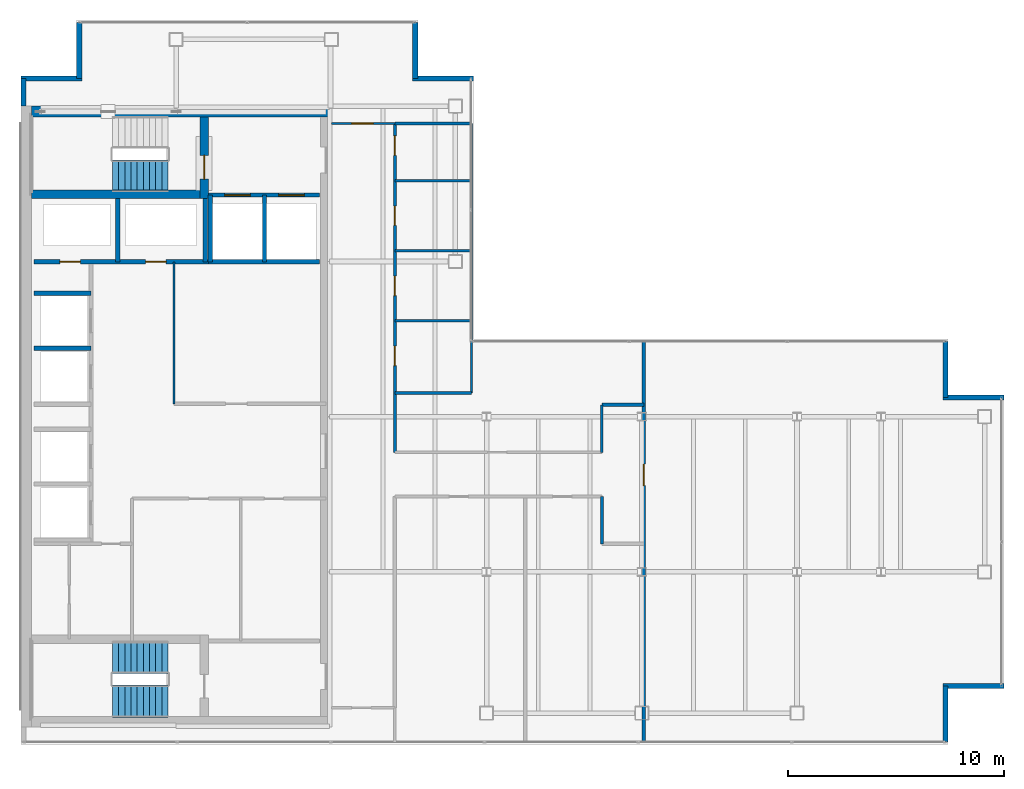
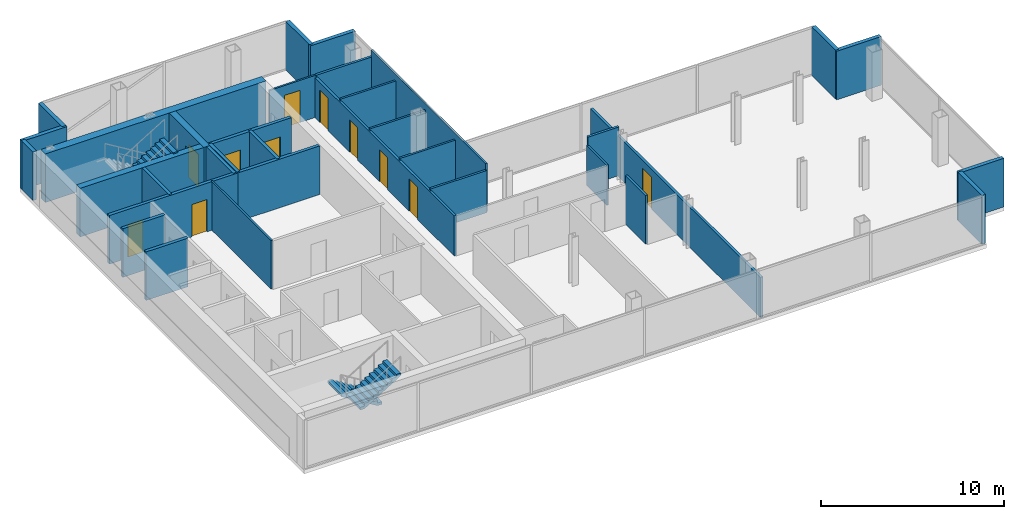
# One storey, part 21 of 23: 34 walls, 11 doors, 3 stair flights, 11 openings, 2 elements without a shape of their own.
"""IFC4 building model written with IfcOpenShell, lengths in metres."""

from ifc_helpers import new_model, si_unit, direction, frame, frame_2d, origin, place, context, subcontext, project, spatial, polyline, rectangle, outline, extrude, material, layer, layer_set, type_object, element, fill, aggregate, save


model = new_model("IFC4")

# Units and contexts
model_context = context("Model", 3, precision=1e-05, world=origin(), true_north=direction((0.0, 1.0)))
body_context = subcontext(model_context, "Body", "Model", "MODEL_VIEW")
ifc_project = project(units=[si_unit("LENGTHUNIT", "METRE"), si_unit("AREAUNIT", "SQUARE_METRE"), si_unit("VOLUMEUNIT", "CUBIC_METRE"), si_unit("PLANEANGLEUNIT", "RADIAN"), si_unit("MASSUNIT", "GRAM", prefix="KILO")], contexts=[model_context])

# Site, building, storey
site_placement = place(None, origin())
site = spatial("IfcSite", under=ifc_project, at=site_placement, CompositionType="ELEMENT")
building_placement = place(site_placement, origin())
building = spatial("IfcBuilding", under=site, at=building_placement, Name="Cobrela Telecom Tower", CompositionType="ELEMENT")
storey_placement = place(building_placement, frame((0.0, 0.0, 269.14990234375)))
storey = spatial("IfcBuildingStorey", under=building, at=storey_placement, Name="L70", CompositionType="ELEMENT", Elevation=269.14990234375)

# Walls
ifc_material_1 = material(Name="Concrete C40/50", Category="concrete")
ifc_layer_1 = layer(ifc_material_1, 0.5)
ifc_layer_set_1 = layer_set([ifc_layer_1], Name="Concrete C40/50")
wall_type_1 = type_object("IfcWallType", Name="WALL-CORE-C40-500", PredefinedType="SHEAR", material=ifc_layer_set_1)
wall_1_placement = place(storey_placement, frame((0.5, 35.75, 0.0), z_axis=(0.0, 0.0, 1.0), x_axis=(1.0, 0.0, 0.0)))
element("IfcWall", 1, at=wall_1_placement, inside=storey, type_object=wall_type_1, Name="L70 North Core Shear Wall", PredefinedType="SHEAR", context=body_context, shape_type="SweptSolid", body=[
    extrude(rectangle(XDim=13.89990234375, YDim=0.5, at=frame_2d((6.949951171875, 0.0))), origin(), (0.0, 0.0, 1.0), 3.239990234375),
])
ifc_layer_2 = layer(ifc_material_1, 0.239990234375)
ifc_layer_set_2 = layer_set([ifc_layer_2], Name="Concrete C40/50")
wall_type_2 = type_object("IfcWallType", Name="WALL-EXT-300", PredefinedType="STANDARD", material=ifc_layer_set_2)
wall_2_placement = place(storey_placement, frame((0.1201171875, 36.0, 0.0), z_axis=(0.0, 0.0, 1.0), x_axis=(0.0, 1.0, 0.0)))
element("IfcWall", 2, at=wall_2_placement, inside=storey, type_object=wall_type_2, Name="L70 Insulated Facade Wall 02", PredefinedType="STANDARD", context=body_context, shape_type="SweptSolid", body=[
    extrude(rectangle(XDim=1.2900390625, YDim=0.239990234375, at=frame_2d((0.64501953125, 0.0))), origin(), (0.0, 0.0, 1.0), 3.239990234375),
])
wall_3_placement = place(storey_placement, frame((0.0, 37.2900390625, 0.0), z_axis=(0.0, 0.0, 1.0), x_axis=(1.0, 0.0, 0.0)))
element("IfcWall", 3, at=wall_3_placement, inside=storey, type_object=wall_type_2, Name="L70 Insulated Facade Wall 03", PredefinedType="STANDARD", context=body_context, shape_type="SweptSolid", body=[
    extrude(rectangle(XDim=2.830078125, YDim=0.239990234375, at=frame_2d((1.4150390625, 0.0))), origin(), (0.0, 0.0, 1.0), 3.239990234375),
])
for number, where, z_axis, x_axis, name in (
    (4, (2.7099609375, 37.2900390625, 0.0), (0.0, 0.0, 1.0), (0.0, 1.0, 0.0), "L70 Insulated Facade Wall 04"),
    (5, (18.2900390625, 39.8798828125, 0.0), (0.0, 0.0, 1.0), (0.0, -1.0, 0.0), "L70 Insulated Facade Wall 06"),
):
    element("IfcWall", number, at=place(storey_placement, frame(where, z_axis=z_axis, x_axis=x_axis)), inside=storey, type_object=wall_type_2, Name=name, PredefinedType="STANDARD", context=body_context, shape_type="SweptSolid", body=[
        extrude(rectangle(XDim=2.58984375, YDim=0.239990234375, at=frame_2d((1.294921875, 0.0))), origin(), (0.0, 0.0, 1.0), 3.239990234375),
    ])
wall_4_placement = place(storey_placement, frame((18.169921875, 37.2900390625, 0.0), z_axis=(0.0, 0.0, 1.0), x_axis=(1.0, 0.0, 0.0)))
element("IfcWall", 6, at=wall_4_placement, inside=storey, type_object=wall_type_2, Name="L70 Insulated Facade Wall 07", PredefinedType="STANDARD", context=body_context, shape_type="SweptSolid", body=[
    extrude(rectangle(XDim=2.830078125, YDim=0.239990234375, at=frame_2d((1.4150390625, 0.0))), origin(), (0.0, 0.0, 1.0), 3.239990234375),
])
wall_5_placement = place(storey_placement, frame((42.889892578125, 25.080078125, 0.0), z_axis=(0.0, 0.0, 1.0), x_axis=(0.0, -1.0, 0.0)))
element("IfcWall", 7, at=wall_5_placement, inside=storey, type_object=wall_type_2, Name="L70 Insulated Facade Wall 10", PredefinedType="STANDARD", context=body_context, shape_type="SweptSolid", body=[
    extrude(rectangle(XDim=2.590087890625, YDim=0.239990234375, at=frame_2d((1.294921875, 0.0))), origin(), (0.0, 0.0, 1.0), 3.239990234375),
])
for number, where, z_axis, x_axis, name in (
    (8, (42.77001953125, 22.489990234375, 0.0), (0.0, 0.0, 1.0), (1.0, 0.0, 0.0), "L70 Insulated Facade Wall 11"),
    (9, (45.60009765625, 9.110107421875, 0.0), (0.0, 0.0, 1.0), (-1.0, 0.0, 0.0), "L70 Insulated Facade Wall 13"),
):
    element("IfcWall", number, at=place(storey_placement, frame(where, z_axis=z_axis, x_axis=x_axis)), inside=storey, type_object=wall_type_2, Name=name, PredefinedType="STANDARD", context=body_context, shape_type="SweptSolid", body=[
        extrude(rectangle(XDim=2.830078125, YDim=0.239990234375, at=frame_2d((1.4150390625, 0.0))), origin(), (0.0, 0.0, 1.0), 3.239990234375),
    ])
wall_6_placement = place(storey_placement, frame((42.889892578125, 9.110107421875, 0.0), z_axis=(0.0, 0.0, 1.0), x_axis=(0.0, -1.0, 0.0)))
element("IfcWall", 10, at=wall_6_placement, inside=storey, type_object=wall_type_2, Name="L70 Insulated Facade Wall 14", PredefinedType="STANDARD", context=body_context, shape_type="SweptSolid", body=[
    extrude(rectangle(XDim=2.590087890625, YDim=0.239990234375, at=frame_2d((1.294921875, 0.0))), origin(), (0.0, 0.0, 1.0), 3.239990234375),
])
ifc_material_2 = material(Name="Fire-Rated Gypsum Plasterboard")
ifc_layer_3 = layer(ifc_material_2, 0.110107421875)
ifc_layer_set_3 = layer_set([ifc_layer_3], Name="Fire-Rated Gypsum Plasterboard")
wall_type_3 = type_object("IfcWallType", Name="WALL-PART-110", PredefinedType="PARTITIONING", material=ifc_layer_set_3)
wall_7_placement = place(storey_placement, frame((7.10009765625, 22.199951171875, 0.0), z_axis=(0.0, 0.0, 1.0), x_axis=(0.0, 1.0, 0.0)))
element("IfcWall", 11, at=wall_7_placement, inside=storey, type_object=wall_type_3, Name="L70 Interior Partition CW-RECL-W", PredefinedType="PARTITIONING", context=body_context, shape_type="SweptSolid", body=[
    extrude(rectangle(XDim=6.580078125, YDim=0.110107421875, at=frame_2d((3.2900390625, 0.0))), origin(), (0.0, 0.0, 1.0), 3.239990234375),
])

# Wall, opening, door
wall_8_placement = place(storey_placement, frame((14.39990234375, 35.199951171875, 0.0), z_axis=(0.0, 0.0, 1.0), x_axis=(1.0, 0.0, 0.0)))
wall_8 = element("IfcWall", 12, at=wall_8_placement, inside=storey, type_object=wall_type_3, Name="L70 Interior Partition W-C-N0", PredefinedType="PARTITIONING", context=body_context, shape_type="SweptSolid", body=[
    extrude(rectangle(XDim=2.9501953125, YDim=0.110107421875, at=frame_2d((1.47509765625, 0.0))), origin(), (0.0, 0.0, 1.0), 2.80810546875),
])
opening_1_placement = place(wall_8_placement, frame((0.949951171875, 0.0, 0.0)))
opening_1 = element("IfcOpeningElement", 13, at=opening_1_placement, cuts=wall_8, Name="Opening DR-31", PredefinedType="OPENING", context=body_context, shape_type="SweptSolid", body=[
    extrude(rectangle(XDim=1.0, YDim=2.14990234375, at=frame_2d((0.5, 1.074951171875))), frame((0.0, 0.06689453125, 0.0), z_axis=(0.0, -1.0, 0.0), x_axis=(1.0, 0.0, 0.0)), (0.0, 0.0, 1.0), 0.134033203125),
])
ifc_material_3 = material(Name="Solid Engineered Oak Timber", Category="wood")
door_type_1 = type_object("IfcDoorType", Name="DOOR-INT-1000", OperationType="SINGLE_SWING_LEFT", PredefinedType="DOOR", material=ifc_material_3)
door_1_placement = place(opening_1_placement, origin())
door_1 = element("IfcDoor", 14, at=door_1_placement, inside=storey, type_object=door_type_1, Name="L70 Door DR-31", OperationType="SINGLE_SWING_LEFT", OverallHeight=2.14990234375, OverallWidth=1.0, PredefinedType="DOOR", context=body_context, shape_type="SweptSolid", body=[
    extrude(rectangle(XDim=1.0, YDim=2.14990234375, at=frame_2d((0.5, 1.074951171875))), frame((0.0, 0.02490234375, 0.0), z_axis=(0.0, -1.0, 0.0), x_axis=(1.0, 0.0, 0.0)), (0.0, 0.0, 1.0), 0.050048828125),
])
fill(opening_1, door_1)

# Walls
wall_9_placement = place(storey_placement, frame((26.949951171875, 19.949951171875, 0.0), z_axis=(0.0, 0.0, 1.0), x_axis=(0.0, 1.0, 0.0)))
element("IfcWall", 15, at=wall_9_placement, inside=storey, type_object=wall_type_3, Name="L70 Interior Partition W-CT-JW2", PredefinedType="PARTITIONING", context=body_context, shape_type="SweptSolid", body=[
    extrude(rectangle(XDim=2.199951171875, YDim=0.110107421875, at=frame_2d((1.10009765625, 0.0))), origin(), (0.0, 0.0, 1.0), 2.676025390625),
])
wall_10_placement = place(storey_placement, frame((20.89990234375, 22.699951171875, 0.0), z_axis=(0.0, 0.0, 1.0), x_axis=(0.0, 1.0, 0.0)))
element("IfcWall", 16, at=wall_10_placement, inside=storey, type_object=wall_type_3, Name="L70 Interior Partition W-WC-E", PredefinedType="PARTITIONING", context=body_context, shape_type="SweptSolid", body=[
    extrude(rectangle(XDim=12.5, YDim=0.110107421875, at=frame_2d((6.25, 0.0))), origin(), (0.0, 0.0, 1.0), 3.239990234375),
])
ifc_layer_4 = layer(ifc_material_2, 0.125)
ifc_layer_set_4 = layer_set([ifc_layer_4], Name="Fire-Rated Gypsum Plasterboard")
wall_type_4 = type_object("IfcWallType", Name="WALL-PART-125", PredefinedType="PARTITIONING", material=ifc_layer_set_4)
for number, where, z_axis, x_axis, name in (
    (17, (17.35009765625, 26.050048828125, 0.0), (0.0, 0.0, 1.0), (1.0, 0.0, 0.0), "L70 Interior Partition W-WCD-1"),
    (18, (17.35009765625, 29.300048828125, 0.0), (0.0, 0.0, 1.0), (1.0, 0.0, 0.0), "L70 Interior Partition W-WCD-2"),
    (19, (17.35009765625, 32.550048828125, 0.0), (0.0, 0.0, 1.0), (1.0, 0.0, 0.0), "L70 Interior Partition W-WCD-3"),
):
    element("IfcWall", number, at=place(storey_placement, frame(where, z_axis=z_axis, x_axis=x_axis)), inside=storey, type_object=wall_type_4, Name=name, PredefinedType="PARTITIONING", context=body_context, shape_type="SweptSolid", body=[
        extrude(rectangle(XDim=3.5498046875, YDim=0.125, at=frame_2d((1.77490234375, 0.0))), origin(), (0.0, 0.0, 1.0), 2.80810546875),
    ])
ifc_layer_5 = layer(ifc_material_2, 0.135009765625)
ifc_layer_set_5 = layer_set([ifc_layer_5], Name="Fire-Rated Gypsum Plasterboard")
wall_type_5 = type_object("IfcWallType", Name="WALL-PART-135", PredefinedType="PARTITIONING", material=ifc_layer_set_5)
wall_11_placement = place(storey_placement, frame((26.949951171875, 15.699951171875, 0.0), z_axis=(0.0, 0.0, 1.0), x_axis=(0.0, 1.0, 0.0)))
element("IfcWall", 20, at=wall_11_placement, inside=storey, type_object=wall_type_5, Name="L70 Interior Partition W-CT-JW1", PredefinedType="PARTITIONING", context=body_context, shape_type="SweptSolid", body=[
    extrude(rectangle(XDim=2.199951171875, YDim=0.135009765625, at=frame_2d((1.10009765625, 0.0))), origin(), (0.0, 0.0, 1.0), 3.239990234375),
])
wall_12_placement = place(storey_placement, frame((17.35009765625, 22.699951171875, 0.0), z_axis=(0.0, 0.0, 1.0), x_axis=(1.0, 0.0, 0.0)))
element("IfcWall", 21, at=wall_12_placement, inside=storey, type_object=wall_type_5, Name="L70 Interior Partition W-WC-S", PredefinedType="PARTITIONING", context=body_context, shape_type="SweptSolid", body=[
    extrude(rectangle(XDim=3.5498046875, YDim=0.135009765625, at=frame_2d((1.77490234375, 0.0))), origin(), (0.0, 0.0, 1.0), 2.80810546875),
])

# Wall, openings, doors
ifc_layer_6 = layer(ifc_material_2, 0.14990234375)
ifc_layer_set_6 = layer_set([ifc_layer_6], Name="Fire-Rated Gypsum Plasterboard")
wall_type_6 = type_object("IfcWallType", Name="WALL-PART-150", PredefinedType="PARTITIONING", material=ifc_layer_set_6)
wall_13_placement = place(storey_placement, frame((17.35009765625, 19.949951171875, 0.0), z_axis=(0.0, 0.0, 1.0), x_axis=(0.0, 1.0, 0.0)))
wall_13 = element("IfcWall", 22, at=wall_13_placement, inside=storey, type_object=wall_type_6, Name="L70 Interior Partition W-C-E2", PredefinedType="PARTITIONING", context=body_context, shape_type="SweptSolid", body=[
    extrude(rectangle(XDim=15.25, YDim=0.14990234375, at=frame_2d((7.625, 0.0))), origin(), (0.0, 0.0, 1.0), 2.676025390625),
])
opening_2_placement = place(wall_13_placement, frame((4.02001953125, 0.0, 0.0)))
opening_2 = element("IfcOpeningElement", 23, at=opening_2_placement, cuts=wall_13, Name="Opening DR-41", PredefinedType="OPENING", context=body_context, shape_type="SweptSolid", body=[
    extrude(rectangle(XDim=0.89990234375, YDim=2.14990234375, at=frame_2d((0.449951171875, 1.074951171875))), frame((0.0, 0.0869140625, 0.0), z_axis=(0.0, -1.0, 0.0), x_axis=(1.0, 0.0, 0.0)), (0.0, 0.0, 1.0), 0.173828125),
])
opening_3_placement = place(wall_13_placement, frame((7.27001953125, 0.0, 0.0)))
opening_3 = element("IfcOpeningElement", 24, at=opening_3_placement, cuts=wall_13, Name="Opening DR-41", PredefinedType="OPENING", context=body_context, shape_type="SweptSolid", body=[
    extrude(rectangle(XDim=0.89990234375, YDim=2.14990234375, at=frame_2d((0.449951171875, 1.074951171875))), frame((0.0, 0.0869140625, 0.0), z_axis=(0.0, -1.0, 0.0), x_axis=(1.0, 0.0, 0.0)), (0.0, 0.0, 1.0), 0.173828125),
])
opening_4_placement = place(wall_13_placement, frame((10.52001953125, 0.0, 0.0)))
opening_4 = element("IfcOpeningElement", 25, at=opening_4_placement, cuts=wall_13, Name="Opening DR-41", PredefinedType="OPENING", context=body_context, shape_type="SweptSolid", body=[
    extrude(rectangle(XDim=0.89990234375, YDim=2.14990234375, at=frame_2d((0.449951171875, 1.074951171875))), frame((0.0, 0.0869140625, 0.0), z_axis=(0.0, -1.0, 0.0), x_axis=(1.0, 0.0, 0.0)), (0.0, 0.0, 1.0), 0.173828125),
])
opening_5_placement = place(wall_13_placement, frame((13.77001953125, 0.0, 0.0)))
opening_5 = element("IfcOpeningElement", 26, at=opening_5_placement, cuts=wall_13, Name="Opening DR-41", PredefinedType="OPENING", context=body_context, shape_type="SweptSolid", body=[
    extrude(rectangle(XDim=0.89990234375, YDim=2.14990234375, at=frame_2d((0.449951171875, 1.074951171875))), frame((0.0, 0.0869140625, 0.0), z_axis=(0.0, -1.0, 0.0), x_axis=(1.0, 0.0, 0.0)), (0.0, 0.0, 1.0), 0.173828125),
])
door_type_2 = type_object("IfcDoorType", Name="DOOR-INT-900", OperationType="SINGLE_SWING_LEFT", PredefinedType="DOOR", material=ifc_material_3)
door_2_placement = place(opening_2_placement, origin())
door_2 = element("IfcDoor", 27, at=door_2_placement, inside=storey, type_object=door_type_2, Name="L70 Door DR-41", OperationType="SINGLE_SWING_LEFT", OverallHeight=2.14990234375, OverallWidth=0.89990234375, PredefinedType="DOOR", context=body_context, shape_type="SweptSolid", body=[
    extrude(rectangle(XDim=0.89990234375, YDim=2.14990234375, at=frame_2d((0.449951171875, 1.074951171875))), frame((0.0, 0.02490234375, 0.0), z_axis=(0.0, -1.0, 0.0), x_axis=(1.0, 0.0, 0.0)), (0.0, 0.0, 1.0), 0.050048828125),
])
fill(opening_2, door_2)
door_3_placement = place(opening_3_placement, origin())
door_3 = element("IfcDoor", 28, at=door_3_placement, inside=storey, type_object=door_type_2, Name="L70 Door DR-41", OperationType="SINGLE_SWING_RIGHT", OverallHeight=2.14990234375, OverallWidth=0.89990234375, PredefinedType="DOOR", context=body_context, shape_type="SweptSolid", body=[
    extrude(rectangle(XDim=0.89990234375, YDim=2.14990234375, at=frame_2d((0.449951171875, 1.074951171875))), frame((0.0, 0.02490234375, 0.0), z_axis=(0.0, -1.0, 0.0), x_axis=(1.0, 0.0, 0.0)), (0.0, 0.0, 1.0), 0.050048828125),
])
fill(opening_3, door_3)
door_4_placement = place(opening_4_placement, origin())
door_4 = element("IfcDoor", 29, at=door_4_placement, inside=storey, type_object=door_type_2, Name="L70 Door DR-41", OperationType="SINGLE_SWING_LEFT", OverallHeight=2.14990234375, OverallWidth=0.89990234375, PredefinedType="DOOR", context=body_context, shape_type="SweptSolid", body=[
    extrude(rectangle(XDim=0.89990234375, YDim=2.14990234375, at=frame_2d((0.449951171875, 1.074951171875))), frame((0.0, 0.02490234375, 0.0), z_axis=(0.0, -1.0, 0.0), x_axis=(1.0, 0.0, 0.0)), (0.0, 0.0, 1.0), 0.050048828125),
])
fill(opening_4, door_4)
door_5_placement = place(opening_5_placement, origin())
door_5 = element("IfcDoor", 30, at=door_5_placement, inside=storey, type_object=door_type_2, Name="L70 Door DR-41", OperationType="SINGLE_SWING_RIGHT", OverallHeight=2.14990234375, OverallWidth=0.89990234375, PredefinedType="DOOR", context=body_context, shape_type="SweptSolid", body=[
    extrude(rectangle(XDim=0.89990234375, YDim=2.14990234375, at=frame_2d((0.449951171875, 1.074951171875))), frame((0.0, 0.02490234375, 0.0), z_axis=(0.0, -1.0, 0.0), x_axis=(1.0, 0.0, 0.0)), (0.0, 0.0, 1.0), 0.050048828125),
])
fill(opening_5, door_5)

# Walls
wall_14_placement = place(storey_placement, frame((26.949951171875, 22.14990234375, 0.0), z_axis=(0.0, 0.0, 1.0), x_axis=(1.0, 0.0, 0.0)))
element("IfcWall", 31, at=wall_14_placement, inside=storey, type_object=wall_type_6, Name="L70 Interior Partition W-CT-N", PredefinedType="PARTITIONING", context=body_context, shape_type="SweptSolid", body=[
    extrude(rectangle(XDim=1.949951171875, YDim=0.14990234375, at=frame_2d((0.97509765625, 0.0))), origin(), (0.0, 0.0, 1.0), 3.239990234375),
])
wall_15_placement = place(storey_placement, frame((17.35009765625, 35.199951171875, 0.0), z_axis=(0.0, 0.0, 1.0), x_axis=(1.0, 0.0, 0.0)))
element("IfcWall", 32, at=wall_15_placement, inside=storey, type_object=wall_type_6, Name="L70 Interior Partition W-NW-S", PredefinedType="PARTITIONING", context=body_context, shape_type="SweptSolid", body=[
    extrude(rectangle(XDim=3.52978515625, YDim=0.14990234375, at=frame_2d((1.764892578125, 0.0))), origin(), (0.0, 0.0, 1.0), 2.80810546875),
])

# Wall, opening, door
ifc_layer_7 = layer(ifc_material_2, 0.159912109375)
ifc_layer_set_7 = layer_set([ifc_layer_7], Name="Fire-Rated Gypsum Plasterboard")
wall_type_7 = type_object("IfcWallType", Name="WALL-PART-160", PredefinedType="PARTITIONING", material=ifc_layer_set_7)
wall_16_placement = place(storey_placement, frame((28.89990234375, 6.52001953125, 0.0), z_axis=(0.0, 0.0, 1.0), x_axis=(0.0, 1.0, 0.0)))
wall_16 = element("IfcWall", 33, at=wall_16_placement, inside=storey, type_object=wall_type_7, Name="L70 Interior Partition W-C-END", PredefinedType="PARTITIONING", context=body_context, shape_type="SweptSolid", body=[
    extrude(rectangle(XDim=18.56005859375, YDim=0.159912109375, at=frame_2d((9.280029296875, 0.0))), origin(), (0.0, 0.0, 1.0), 2.676025390625),
])
opening_6_placement = place(wall_16_placement, frame((11.8798828125, 0.0, 0.0)))
opening_6 = element("IfcOpeningElement", 34, at=opening_6_placement, cuts=wall_16, Name="Opening DR-31", PredefinedType="OPENING", context=body_context, shape_type="SweptSolid", body=[
    extrude(rectangle(XDim=1.0, YDim=2.14990234375, at=frame_2d((0.5, 1.074951171875))), frame((0.0, 0.091796875, 0.0), z_axis=(0.0, -1.0, 0.0), x_axis=(1.0, 0.0, 0.0)), (0.0, 0.0, 1.0), 0.183837890625),
])
door_6_placement = place(opening_6_placement, origin())
door_6 = element("IfcDoor", 35, at=door_6_placement, inside=storey, type_object=door_type_1, Name="L70 Door DR-31", OperationType="SINGLE_SWING_LEFT", OverallHeight=2.14990234375, OverallWidth=1.0, PredefinedType="DOOR", context=body_context, shape_type="SweptSolid", body=[
    extrude(rectangle(XDim=1.0, YDim=2.14990234375, at=frame_2d((0.5, 1.074951171875))), frame((0.0, 0.02490234375, 0.0), z_axis=(0.0, -1.0, 0.0), x_axis=(1.0, 0.0, 0.0)), (0.0, 0.0, 1.0), 0.050048828125),
])
fill(opening_6, door_6)

# Wall, openings, doors
ifc_layer_8 = layer(ifc_material_2, 0.199951171875)
ifc_layer_set_8 = layer_set([ifc_layer_8], Name="Fire-Rated Gypsum Plasterboard")
wall_type_8 = type_object("IfcWallType", Name="WALL-SHAFT-200", PredefinedType="PARTITIONING", material=ifc_layer_set_8)
wall_17_placement = place(storey_placement, frame((8.699951171875, 31.8798828125, 0.0), z_axis=(0.0, 0.0, 1.0), x_axis=(1.0, 0.0, 0.0)))
wall_17 = element("IfcWall", 36, at=wall_17_placement, inside=storey, type_object=wall_type_8, Name="L70 Shaft Enclosure CW-FFL-S", PredefinedType="PARTITIONING", context=body_context, shape_type="SweptSolid", body=[
    extrude(rectangle(XDim=5.150146484375, YDim=0.199951171875, at=frame_2d((2.5751953125, 0.0))), origin(), (0.0, 0.0, 1.0), 3.239990234375),
])
opening_7_placement = place(wall_17_placement, frame((0.75, 0.0, 0.0)))
opening_7 = element("IfcOpeningElement", 37, at=opening_7_placement, cuts=wall_17, Name="Opening LD-2", PredefinedType="OPENING", context=body_context, shape_type="SweptSolid", body=[
    extrude(rectangle(XDim=1.199951171875, YDim=2.199951171875, at=frame_2d((0.60009765625, 1.10009765625))), frame((0.0, 0.11181640625, 0.0), z_axis=(0.0, -1.0, 0.0), x_axis=(1.0, 0.0, 0.0)), (0.0, 0.0, 1.0), 0.223876953125),
])
opening_8_placement = place(wall_17_placement, frame((3.25, 0.0, 0.0)))
opening_8 = element("IfcOpeningElement", 38, at=opening_8_placement, cuts=wall_17, Name="Opening LD-2", PredefinedType="OPENING", context=body_context, shape_type="SweptSolid", body=[
    extrude(rectangle(XDim=1.199951171875, YDim=2.199951171875, at=frame_2d((0.60009765625, 1.10009765625))), frame((0.0, 0.11181640625, 0.0), z_axis=(0.0, -1.0, 0.0), x_axis=(1.0, 0.0, 0.0)), (0.0, 0.0, 1.0), 0.223876953125),
])
ifc_material_4 = material(Name="Steel ASTM A36", Category="steel")
door_type_3 = type_object("IfcDoorType", Name="DOOR-LD-FFL", OperationType="SINGLE_SWING_LEFT", PredefinedType="DOOR", material=ifc_material_4)
door_7_placement = place(opening_7_placement, origin())
door_7 = element("IfcDoor", 39, at=door_7_placement, inside=storey, type_object=door_type_3, Name="L70 Lift Landing Door LD-2", OperationType="DOUBLE_DOOR_SLIDING", OverallHeight=2.199951171875, OverallWidth=1.199951171875, PredefinedType="DOOR", context=body_context, shape_type="SweptSolid", body=[
    extrude(rectangle(XDim=1.199951171875, YDim=2.199951171875, at=frame_2d((0.60009765625, 1.10009765625))), frame((0.0, 0.02490234375, 0.0), z_axis=(0.0, -1.0, 0.0), x_axis=(1.0, 0.0, 0.0)), (0.0, 0.0, 1.0), 0.050048828125),
])
fill(opening_7, door_7)
door_8_placement = place(opening_8_placement, origin())
door_8 = element("IfcDoor", 40, at=door_8_placement, inside=storey, type_object=door_type_3, Name="L70 Lift Landing Door LD-2", OperationType="DOUBLE_DOOR_SLIDING", OverallHeight=2.199951171875, OverallWidth=1.199951171875, PredefinedType="DOOR", context=body_context, shape_type="SweptSolid", body=[
    extrude(rectangle(XDim=1.199951171875, YDim=2.199951171875, at=frame_2d((0.60009765625, 1.10009765625))), frame((0.0, 0.02490234375, 0.0), z_axis=(0.0, -1.0, 0.0), x_axis=(1.0, 0.0, 0.0)), (0.0, 0.0, 1.0), 0.050048828125),
])
fill(opening_8, door_8)

# Walls
wall_18_placement = place(storey_placement, frame((8.699951171875, 28.780029296875, 0.0), z_axis=(0.0, 0.0, 1.0), x_axis=(1.0, 0.0, 0.0)))
element("IfcWall", 41, at=wall_18_placement, inside=storey, type_object=wall_type_8, Name="L70 Shaft Enclosure CW-FFL-S2", PredefinedType="PARTITIONING", context=body_context, shape_type="SweptSolid", body=[
    extrude(rectangle(XDim=5.150146484375, YDim=0.199951171875, at=frame_2d((2.5751953125, 0.0))), origin(), (0.0, 0.0, 1.0), 3.239990234375),
])
for number, where, z_axis, x_axis, name in (
    (42, (8.780029296875, 28.780029296875, 0.0), (0.0, 0.0, 1.0), (0.0, 1.0, 0.0), "L70 Shaft Enclosure CW-FFL-W"),
    (43, (11.300048828125, 28.780029296875, 0.0), (0.0, 0.0, 1.0), (0.0, 1.0, 0.0), "L70 Shaft Enclosure CW-FFL-M"),
):
    element("IfcWall", number, at=place(storey_placement, frame(where, z_axis=z_axis, x_axis=x_axis)), inside=storey, type_object=wall_type_8, Name=name, PredefinedType="PARTITIONING", context=body_context, shape_type="SweptSolid", body=[
        extrude(rectangle(XDim=3.099853515625, YDim=0.199951171875, at=frame_2d((1.5498046875, 0.0))), origin(), (0.0, 0.0, 1.0), 3.239990234375),
    ])

# Wall, openings, doors
wall_19_placement = place(storey_placement, frame((0.60009765625, 28.780029296875, 0.0), z_axis=(0.0, 0.0, 1.0), x_axis=(1.0, 0.0, 0.0)))
wall_19 = element("IfcWall", 44, at=wall_19_placement, inside=storey, type_object=wall_type_8, Name="L70 Shaft Enclosure CW-RIS-S", PredefinedType="PARTITIONING", context=body_context, shape_type="SweptSolid", body=[
    extrude(rectangle(XDim=8.179931640625, YDim=0.199951171875, at=frame_2d((4.08984375, 0.0))), origin(), (0.0, 0.0, 1.0), 3.239990234375),
])
opening_9_placement = place(wall_19_placement, frame((1.2099609375, 0.0, 0.0)))
opening_9 = element("IfcOpeningElement", 45, at=opening_9_placement, cuts=wall_19, Name="Opening DR-65", PredefinedType="OPENING", context=body_context, shape_type="SweptSolid", body=[
    extrude(rectangle(XDim=0.949951171875, YDim=2.14990234375, at=frame_2d((0.47509765625, 1.074951171875))), frame((0.0, 0.11181640625, 0.0), z_axis=(0.0, -1.0, 0.0), x_axis=(1.0, 0.0, 0.0)), (0.0, 0.0, 1.0), 0.223876953125),
])
opening_10_placement = place(wall_19_placement, frame((5.18994140625, 0.0, 0.0)))
opening_10 = element("IfcOpeningElement", 46, at=opening_10_placement, cuts=wall_19, Name="Opening DR-65", PredefinedType="OPENING", context=body_context, shape_type="SweptSolid", body=[
    extrude(rectangle(XDim=0.949951171875, YDim=2.14990234375, at=frame_2d((0.47509765625, 1.074951171875))), frame((0.0, 0.11181640625, 0.0), z_axis=(0.0, -1.0, 0.0), x_axis=(1.0, 0.0, 0.0)), (0.0, 0.0, 1.0), 0.223876953125),
])
door_type_4 = type_object("IfcDoorType", Name="DOOR-FD60-950", OperationType="SINGLE_SWING_LEFT", PredefinedType="DOOR", material=ifc_material_4)
door_9_placement = place(opening_9_placement, origin())
door_9 = element("IfcDoor", 47, at=door_9_placement, inside=storey, type_object=door_type_4, Name="L70 Door DR-65", OperationType="SINGLE_SWING_LEFT", OverallHeight=2.14990234375, OverallWidth=0.949951171875, PredefinedType="DOOR", context=body_context, shape_type="SweptSolid", body=[
    extrude(rectangle(XDim=0.949951171875, YDim=2.14990234375, at=frame_2d((0.47509765625, 1.074951171875))), frame((0.0, 0.02490234375, 0.0), z_axis=(0.0, -1.0, 0.0), x_axis=(1.0, 0.0, 0.0)), (0.0, 0.0, 1.0), 0.050048828125),
])
fill(opening_9, door_9)
door_10_placement = place(opening_10_placement, origin())
door_10 = element("IfcDoor", 48, at=door_10_placement, inside=storey, type_object=door_type_4, Name="L70 Door DR-65", OperationType="SINGLE_SWING_RIGHT", OverallHeight=2.14990234375, OverallWidth=0.949951171875, PredefinedType="DOOR", context=body_context, shape_type="SweptSolid", body=[
    extrude(rectangle(XDim=0.949951171875, YDim=2.14990234375, at=frame_2d((0.47509765625, 1.074951171875))), frame((0.0, 0.02490234375, 0.0), z_axis=(0.0, -1.0, 0.0), x_axis=(1.0, 0.0, 0.0)), (0.0, 0.0, 1.0), 0.050048828125),
])
fill(opening_10, door_10)

# Walls
for number, where, z_axis, x_axis, name in (
    (49, (4.5, 28.780029296875, 0.0), (0.0, 0.0, 1.0), (0.0, 1.0, 0.0), "L70 Shaft Enclosure CW-RIS-M"),
    (50, (8.550048828125, 28.780029296875, 0.0), (0.0, 0.0, 1.0), (0.0, 1.0, 0.0), "L70 Shaft Enclosure CW-RIS-E"),
):
    element("IfcWall", number, at=place(storey_placement, frame(where, z_axis=z_axis, x_axis=x_axis)), inside=storey, type_object=wall_type_8, Name=name, PredefinedType="PARTITIONING", context=body_context, shape_type="SweptSolid", body=[
        extrude(rectangle(XDim=2.93994140625, YDim=0.199951171875, at=frame_2d((1.469970703125, 0.0))), origin(), (0.0, 0.0, 1.0), 3.239990234375),
    ])
for number, where, z_axis, x_axis, name in (
    (51, (0.60009765625, 24.780029296875, 0.0), (0.0, 0.0, 1.0), (1.0, 0.0, 0.0), "L70 Shaft Enclosure CW-PLH-D12"),
    (52, (0.60009765625, 27.320068359375, 0.0), (0.0, 0.0, 1.0), (1.0, 0.0, 0.0), "L70 Shaft Enclosure CW-PLH-TOP"),
):
    element("IfcWall", number, at=place(storey_placement, frame(where, z_axis=z_axis, x_axis=x_axis)), inside=storey, type_object=wall_type_8, Name=name, PredefinedType="PARTITIONING", context=body_context, shape_type="SweptSolid", body=[
        extrude(rectangle(XDim=2.64990234375, YDim=0.199951171875, at=frame_2d((1.324951171875, 0.0))), origin(), (0.0, 0.0, 1.0), 3.239990234375),
    ])
ifc_layer_9 = layer(ifc_material_1, 0.39990234375)
ifc_layer_set_9 = layer_set([ifc_layer_9], Name="Concrete C40/50")
wall_type_9 = type_object("IfcWallType", Name="WALL-SHAFT-C40-400", PredefinedType="SHEAR", material=ifc_layer_set_9)
wall_20_placement = place(storey_placement, frame((0.5, 31.919921875, 0.0), z_axis=(0.0, 0.0, 1.0), x_axis=(1.0, 0.0, 0.0)))
element("IfcWall", 53, at=wall_20_placement, inside=storey, type_object=wall_type_9, Name="L70 North Stair Shear Wall", PredefinedType="SHEAR", context=body_context, shape_type="SweptSolid", body=[
    extrude(rectangle(XDim=7.800048828125, YDim=0.39990234375, at=frame_2d((3.89990234375, 0.0))), origin(), (0.0, 0.0, 1.0), 3.239990234375),
])

# Wall, opening, door
wall_21_placement = place(storey_placement, frame((8.5, 31.719970703125, 0.0), z_axis=(0.0, 0.0, 1.0), x_axis=(0.0, 1.0, 0.0)))
wall_21 = element("IfcWall", 54, at=wall_21_placement, inside=storey, type_object=wall_type_9, Name="L70 North Stair Lobby Shear Wall", PredefinedType="SHEAR", context=body_context, shape_type="SweptSolid", body=[
    extrude(rectangle(XDim=3.780029296875, YDim=0.39990234375, at=frame_2d((1.89013671875, 0.0))), origin(), (0.0, 0.0, 1.0), 3.239990234375),
])
opening_11_placement = place(wall_21_placement, frame((0.89990234375, 0.0, 0.0)))
opening_11 = element("IfcOpeningElement", 55, at=opening_11_placement, cuts=wall_21, Name="Opening DR-59", PredefinedType="OPENING", context=body_context, shape_type="SweptSolid", body=[
    extrude(rectangle(XDim=1.10009765625, YDim=2.14990234375, at=frame_2d((0.550048828125, 1.074951171875))), frame((0.0, 0.2119140625, 0.0), z_axis=(0.0, -1.0, 0.0), x_axis=(1.0, 0.0, 0.0)), (0.0, 0.0, 1.0), 0.423828125),
])
door_type_5 = type_object("IfcDoorType", Name="DOOR-FD60-1100", OperationType="SINGLE_SWING_LEFT", PredefinedType="DOOR", material=ifc_material_4)
door_11_placement = place(opening_11_placement, origin())
door_11 = element("IfcDoor", 56, at=door_11_placement, inside=storey, type_object=door_type_5, Name="L70 Door DR-59", OperationType="SINGLE_SWING_RIGHT", OverallHeight=2.14990234375, OverallWidth=1.10009765625, PredefinedType="DOOR", context=body_context, shape_type="SweptSolid", body=[
    extrude(rectangle(XDim=1.10009765625, YDim=2.14990234375, at=frame_2d((0.550048828125, 1.074951171875))), frame((0.0, 0.02490234375, 0.0), z_axis=(0.0, -1.0, 0.0), x_axis=(1.0, 0.0, 0.0)), (0.0, 0.0, 1.0), 0.050048828125),
])
fill(opening_11, door_11)

# Stair, stair flight
stair_type = type_object("IfcStairType", Name="STAIR-CORE", PredefinedType="HALF_TURN_STAIR", material=ifc_material_1)
stair_1_placement = place(storey_placement, origin())
stair_1 = element("IfcStair", 57, at=stair_1_placement, inside=storey, type_object=stair_type, Name="L70 Smokeproof Exit Stair ST1", PredefinedType="HALF_TURN_STAIR")
stair_flight_type = type_object("IfcStairFlightType", Name="FLIGHT-CORE", PredefinedType="STRAIGHT", material=ifc_material_1)
stair_flight_1_placement = place(storey_placement, frame((4.2548828125, 32.75, 1.75), z_axis=(0.0, 0.0, 1.0), x_axis=(1.0, 0.0, 0.0)))
stair_flight_1 = element("IfcStairFlight", 58, at=stair_flight_1_placement, type_object=stair_flight_type, Name="ST1 flight 2", NumberOfRisers=10, NumberOfTreads=9, PredefinedType="STRAIGHT", RiserHeight=0.175, TreadLength=0.285, context=body_context, shape_type="SweptSolid", body=[
    extrude(outline(polyline([(0.0, 0.0), (0.0, 0.175048828125), (0.284912109375, 0.175048828125), (0.284912109375, 0.35009765625), (0.570068359375, 0.35009765625), (0.570068359375, 0.52490234375), (0.85498046875, 0.52490234375), (0.85498046875, 0.699951171875), (1.139892578125, 0.699951171875), (1.139892578125, 0.875), (1.425048828125, 0.875), (1.425048828125, 1.050048828125), (1.7099609375, 1.050048828125), (1.7099609375, 1.22509765625), (1.9951171875, 1.22509765625), (1.9951171875, 1.39990234375), (2.280029296875, 1.39990234375), (2.280029296875, 1.574951171875), (2.56494140625, 1.574951171875), (2.56494140625, 1.75), (2.56494140625, 1.399169921875), (0.286376953125, 0.0), (0.0, 0.0)])), frame((0.0, 0.75, 0.0), z_axis=(0.0, -1.0, 0.0), x_axis=(1.0, 0.0, 0.0)), (0.0, 0.0, 1.0), 1.5),
])
aggregate(stair_1, [stair_flight_1])

# Stair, stair flights
stair_2_placement = place(storey_placement, origin())
stair_2 = element("IfcStair", 59, at=stair_2_placement, inside=storey, type_object=stair_type, Name="L70 Smokeproof Exit Stair ST2", PredefinedType="HALF_TURN_STAIR")
stair_flight_2_placement = place(storey_placement, frame((6.820068359375, 10.449951171875, 0.0), z_axis=(0.0, 0.0, 1.0), x_axis=(-1.0, 0.0, 0.0)))
stair_flight_2 = element("IfcStairFlight", 60, at=stair_flight_2_placement, type_object=stair_flight_type, Name="ST2 flight 1", NumberOfRisers=10, NumberOfTreads=9, PredefinedType="STRAIGHT", RiserHeight=0.175, TreadLength=0.285, context=body_context, shape_type="SweptSolid", body=[
    extrude(outline(polyline([(0.0, 0.0), (0.0, 0.175048828125), (0.284912109375, 0.175048828125), (0.284912109375, 0.35009765625), (0.570068359375, 0.35009765625), (0.570068359375, 0.52490234375), (0.85498046875, 0.52490234375), (0.85498046875, 0.699951171875), (1.139892578125, 0.699951171875), (1.139892578125, 0.875), (1.425048828125, 0.875), (1.425048828125, 1.050048828125), (1.7099609375, 1.050048828125), (1.7099609375, 1.22509765625), (1.9951171875, 1.22509765625), (1.9951171875, 1.39990234375), (2.280029296875, 1.39990234375), (2.280029296875, 1.574951171875), (2.56494140625, 1.574951171875), (2.56494140625, 1.75), (2.56494140625, 1.399169921875), (0.286376953125, 0.0), (0.0, 0.0)])), frame((0.0, 0.75, 0.0), z_axis=(0.0, -1.0, 0.0), x_axis=(1.0, 0.0, 0.0)), (0.0, 0.0, 1.0), 1.5),
])
stair_flight_3_placement = place(storey_placement, frame((4.2548828125, 8.39990234375, 1.75), z_axis=(0.0, 0.0, 1.0), x_axis=(1.0, 0.0, 0.0)))
stair_flight_3 = element("IfcStairFlight", 61, at=stair_flight_3_placement, type_object=stair_flight_type, Name="ST2 flight 2", NumberOfRisers=10, NumberOfTreads=9, PredefinedType="STRAIGHT", RiserHeight=0.175, TreadLength=0.285, context=body_context, shape_type="SweptSolid", body=[
    extrude(outline(polyline([(0.0, 0.0), (0.0, 0.175048828125), (0.284912109375, 0.175048828125), (0.284912109375, 0.35009765625), (0.570068359375, 0.35009765625), (0.570068359375, 0.52490234375), (0.85498046875, 0.52490234375), (0.85498046875, 0.699951171875), (1.139892578125, 0.699951171875), (1.139892578125, 0.875), (1.425048828125, 0.875), (1.425048828125, 1.050048828125), (1.7099609375, 1.050048828125), (1.7099609375, 1.22509765625), (1.9951171875, 1.22509765625), (1.9951171875, 1.39990234375), (2.280029296875, 1.39990234375), (2.280029296875, 1.574951171875), (2.56494140625, 1.574951171875), (2.56494140625, 1.75), (2.56494140625, 1.399169921875), (0.286376953125, 0.0), (0.0, 0.0)])), frame((0.0, 0.75, 0.0), z_axis=(0.0, -1.0, 0.0), x_axis=(1.0, 0.0, 0.0)), (0.0, 0.0, 1.0), 1.5),
])
aggregate(stair_2, [stair_flight_2, stair_flight_3])

save(model, "model.ifc")
